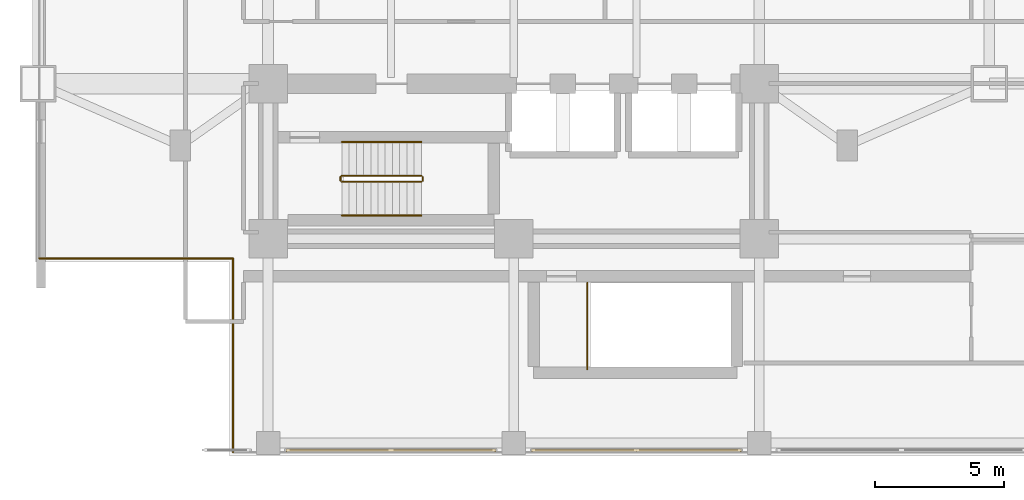
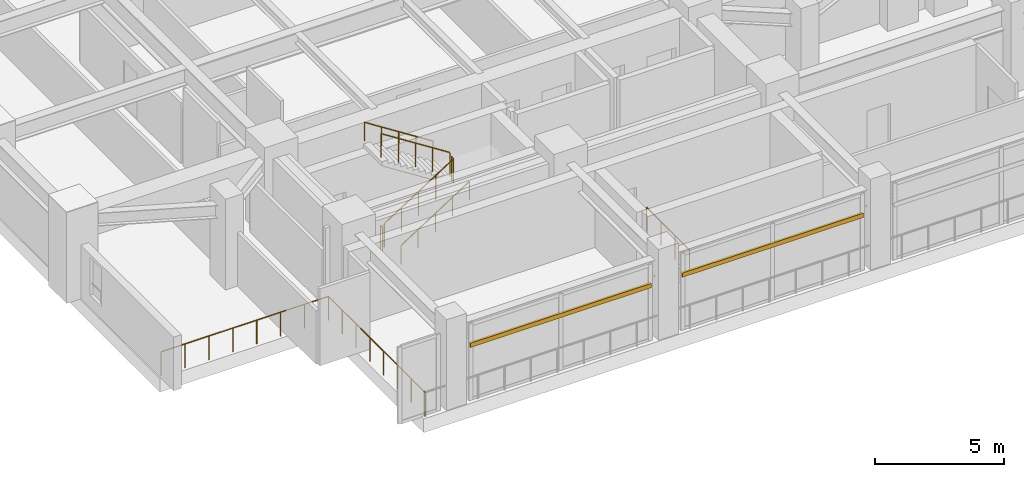
# One storey, part 21 of 27: 9 railings, 2 shading devices.
"""IFC4 building model written with IfcOpenShell, lengths in metres."""

import ifcopenshell
import ifcopenshell.guid

model = None  # the IFC model being written
_history = None  # IfcOwnerHistory: only IFC2X3 demands one
_inside = {}  # id of a spatial element -> (the spatial element, [elements in it])
_under = {}  # id of a project, library or spatial element -> (it, [spatial elements below it])
_declared = {}  # id of a project -> (the project, [libraries it declares])
_typed = {}  # id of a type object -> (the type object, [elements of that type])
_made_of = {}  # id of a material, layer set ... -> (it, [elements and type objects made of it])


def new_model(schema):
    """Start an empty IFC model of exactly this schema.

    Asked for "IFC4X3", IfcOpenShell would pick the latest addendum, in which some entities
    have other attributes; the version numbers below select the first issue.
    IFC2X3 requires an IfcOwnerHistory on every rooted entity: one is made here for all.
    """
    global model, _history
    if schema == "IFC4X3":
        model = ifcopenshell.file(schema_version=(4, 3, 0, 0))
    else:
        model = ifcopenshell.file(schema=schema)
    _inside.clear()
    _under.clear()
    _declared.clear()
    _typed.clear()
    _made_of.clear()
    _history = None
    if model.schema == "IFC2X3":
        org = make("IfcOrganization", Name="unknown")
        user = make(
            "IfcPersonAndOrganization",
            ThePerson=make("IfcPerson", FamilyName="unknown"),
            TheOrganization=org,
        )
        app = make(
            "IfcApplication",
            ApplicationDeveloper=org,
            Version="unknown",
            ApplicationFullName="unknown",
            ApplicationIdentifier="unknown",
        )
        _history = make(
            "IfcOwnerHistory",
            OwningUser=user,
            OwningApplication=app,
            ChangeAction="ADDED",
            CreationDate=0,
        )
    return model


def make(cls, **values):
    """One entity of the class cls with the attributes given. An attribute that is None is left unset."""
    return model.create_entity(
        cls, **{name: value for name, value in values.items() if value is not None}
    )


def rooted(cls, **values):
    """An entity with a GlobalId (a new one), such as an element, a storey or a relation."""
    return make(cls, GlobalId=ifcopenshell.guid.new(), OwnerHistory=_history, **values)


def si_unit(unit_type, name, prefix=None):
    """IfcSIUnit, for example si_unit("LENGTHUNIT", "METRE", prefix="MILLI")."""
    return make("IfcSIUnit", UnitType=unit_type, Prefix=prefix, Name=name)


def assignment(units):
    """IfcUnitAssignment: the units of a project."""
    return None if units is None else make("IfcUnitAssignment", Units=units)


def point(xyz):
    """IfcCartesianPoint."""
    return None if xyz is None else make("IfcCartesianPoint", Coordinates=xyz)


def direction(xyz):
    """IfcDirection."""
    return None if xyz is None else make("IfcDirection", DirectionRatios=xyz)


def frame(location, z_axis=None, x_axis=None):
    """IfcAxis2Placement3D, a coordinate frame: its origin and axes. An axis left out is left unset."""
    return make(
        "IfcAxis2Placement3D",
        Location=point(location),
        Axis=direction(z_axis),
        RefDirection=direction(x_axis),
    )


def frame_2d(location, x_axis=None):
    """IfcAxis2Placement2D, a coordinate frame in the plane: its origin and x axis."""
    return make(
        "IfcAxis2Placement2D", Location=point(location), RefDirection=direction(x_axis)
    )


def origin():
    """The frame at (0, 0, 0) with its axes left unset."""
    return frame((0.0, 0.0, 0.0))


def origin_2d():
    """The frame at (0, 0) in the plane with its x axis left unset."""
    return frame_2d((0.0, 0.0))


def place(relative_to, where):
    """IfcLocalPlacement: puts the frame where relative to a parent placement (None: the world)."""
    return make(
        "IfcLocalPlacement", PlacementRelTo=relative_to, RelativePlacement=where
    )


def context(
    kind, dimensions, precision=None, world=None, true_north=None, identifier=None
):
    """IfcGeometricRepresentationContext, for example the 3D "Model" context."""
    return make(
        "IfcGeometricRepresentationContext",
        ContextIdentifier=identifier,
        ContextType=kind,
        CoordinateSpaceDimension=dimensions,
        Precision=precision,
        WorldCoordinateSystem=world,
        TrueNorth=true_north,
    )


def subcontext(parent, identifier, kind, view, scale=None):
    """IfcGeometricRepresentationSubContext, for example "Body" below "Model"."""
    return make(
        "IfcGeometricRepresentationSubContext",
        ContextIdentifier=identifier,
        ContextType=kind,
        ParentContext=parent,
        TargetScale=scale,
        TargetView=view,
    )


def project(units=None, contexts=None):
    """IfcProject with its units and contexts."""
    return rooted(
        "IfcProject",
        Name="project",
        RepresentationContexts=contexts,
        UnitsInContext=assignment(units),
    )


def spatial(cls, under=None, at=None, **own):
    """A site, building, storey or space (cls), placed at a placement, below another one or the project."""
    s = rooted(cls, ObjectPlacement=at, **own)
    if under is not None:
        _under.setdefault(under.id(), (under, []))[1].append(s)
    return s


def profile(cls, at=None, kind="AREA", **sizes):
    """A parametric profile (cls). Its sizes go by their IFC names, for example OverallWidth=200.0."""
    return make(cls, ProfileType=kind, Position=at, **sizes)


def rectangle(**sizes):
    """IfcRectangleProfileDef."""
    return profile("IfcRectangleProfileDef", **sizes)


def circle(**sizes):
    """IfcCircleProfileDef."""
    return profile("IfcCircleProfileDef", **sizes)


def extrude(swept, where, along, depth):
    """IfcExtrudedAreaSolid: the profile swept, set in the frame where, extruded along a direction by depth."""
    return make(
        "IfcExtrudedAreaSolid",
        SweptArea=swept,
        Position=where,
        ExtrudedDirection=direction(along),
        Depth=depth,
    )


def shape(context_of_items, identifier, shape_type, items):
    """IfcShapeRepresentation: the items that make up one representation, for example the "Body"."""
    return make(
        "IfcShapeRepresentation",
        ContextOfItems=context_of_items,
        RepresentationIdentifier=identifier,
        RepresentationType=shape_type,
        Items=items,
    )


def material(Name=None, Category=None):
    """IfcMaterial."""
    return make("IfcMaterial", Name=Name, Category=Category)


def material_profile(
    of_material, cross_section, Name=None, Category=None, Priority=None
):
    """IfcMaterialProfile: a cross section and its material."""
    return make(
        "IfcMaterialProfile",
        Name=Name,
        Material=of_material,
        Profile=cross_section,
        Priority=Priority,
        Category=Category,
    )


def profile_set(profiles, Name=None, composite=None):
    """IfcMaterialProfileSet."""
    return make(
        "IfcMaterialProfileSet",
        Name=Name,
        MaterialProfiles=profiles,
        CompositeProfile=composite,
    )


def made_of(thing, what):
    """Note that an element or type object is made of a material, layer set ...; save() writes the relation."""
    if what is not None:
        _made_of.setdefault(what.id(), (what, []))[1].append(thing)
    return thing


def type_object(cls, material=None, **own):
    """A type object (cls), such as IfcWallType, which elements share."""
    return made_of(rooted(cls, **own), material)


def element(
    cls,
    number,
    at=None,
    inside=None,
    cuts=None,
    type_object=None,
    material=None,
    context=None,
    identifier="Body",
    shape_type=None,
    held_by="IfcProductDefinitionShape",
    body=None,
    shapes=None,
    **own,
):
    """One element of the class cls, such as IfcWall. Its Tag is "e" and its number.

    at: its placement. inside: the storey or other place that contains it. cuts: it is an
    opening in that element (IfcRelVoidsElement). A single representation is given by context,
    identifier, shape_type and body (its items); several are given by shapes. held_by: the class
    of the entity that holds the representations. save() writes the other relations.
    """
    e = rooted(cls, Tag="e%d" % number, ObjectPlacement=at, **own)
    if body is not None:
        shapes = [shape(context, identifier, shape_type, body)]
    if shapes is not None:
        e.Representation = make(held_by, Representations=shapes)
    if inside is not None:
        _inside.setdefault(inside.id(), (inside, []))[1].append(e)
    if cuts is not None:
        rooted(
            "IfcRelVoidsElement", RelatingBuildingElement=cuts, RelatedOpeningElement=e
        )
    if type_object is not None:
        _typed.setdefault(type_object.id(), (type_object, []))[1].append(e)
    return made_of(e, material)


def aggregate(whole, parts):
    """IfcRelAggregates: a whole, such as a stair, and the parts it consists of."""
    return rooted("IfcRelAggregates", RelatingObject=whole, RelatedObjects=parts)


def save(model, path):
    """Write the relations noted so far, then the file.

    IfcRelAggregates (storeys below a building ...), IfcRelContainedInSpatialStructure (elements
    in a storey), IfcRelDefinesByType, IfcRelAssociatesMaterial and IfcRelDeclares: one each for
    every whole, place, type object, material and project.
    """
    for whole, parts in _under.values():
        aggregate(whole, parts)
    for where, things in _inside.values():
        rooted(
            "IfcRelContainedInSpatialStructure",
            RelatedElements=things,
            RelatingStructure=where,
        )
    for kind, things in _typed.values():
        rooted("IfcRelDefinesByType", RelatedObjects=things, RelatingType=kind)
    for what, things in _made_of.values():
        rooted("IfcRelAssociatesMaterial", RelatedObjects=things, RelatingMaterial=what)
    for by, libraries in _declared.values():
        rooted("IfcRelDeclares", RelatingContext=by, RelatedDefinitions=libraries)
    model.write(path)


model = new_model("IFC4")

# Units and contexts
model_context = context("Model", 3, precision=1e-05, world=origin(), true_north=direction((0.0, 1.0)))
body_context = subcontext(model_context, "Body", "Model", "MODEL_VIEW")
ifc_project = project(units=[si_unit("LENGTHUNIT", "METRE"), si_unit("AREAUNIT", "SQUARE_METRE"), si_unit("VOLUMEUNIT", "CUBIC_METRE"), si_unit("PLANEANGLEUNIT", "RADIAN"), si_unit("MASSUNIT", "GRAM", prefix="KILO")], contexts=[model_context])

# Site, building, storey
site_placement = place(None, origin())
site = spatial("IfcSite", under=ifc_project, at=site_placement, CompositionType="ELEMENT")
building_placement = place(site_placement, origin())
building = spatial("IfcBuilding", under=site, at=building_placement, Name="Mirazonda Arch Towers", CompositionType="ELEMENT")
storey_placement = place(building_placement, frame((0.0, 0.0, 18.10009765625)))
storey = spatial("IfcBuildingStorey", under=building, at=storey_placement, Name="L04", CompositionType="ELEMENT", Elevation=18.10009765625)

# Shading devices
ifc_material_1 = material(Name="Kiln-Fired Architectural Terracotta", Category="masonry")
ifc_material_profile = material_profile(ifc_material_1, rectangle(XDim=0.10009765625, YDim=0.199951171875, at=origin_2d()), Name="TERRA-BAG-100x200")
ifc_profile_set = profile_set([ifc_material_profile], Name="Kiln-Fired Architectural Terracotta")
shading_device_type = type_object("IfcShadingDeviceType", Name="BAGUETTE-2", PredefinedType="USERDEFINED", material=ifc_profile_set)
for number, where, z_axis, x_axis, name in (
    (1, (29.31005859375, 4.219970703125, 2.613525390625), (-1.0, 0.0, 0.0), (0.0, -1.0, 0.0), "L04 Glazed Terracotta Sun-Screen Baguette CW-L04-S1-S6"),
    (2, (19.81005859375, 4.219970703125, 2.613525390625), (-1.0, 0.0, 0.0), (0.0, -1.0, 0.0), "L04 Glazed Terracotta Sun-Screen Baguette CW-L04-S1-S7"),
):
    element("IfcShadingDevice", number, at=place(storey_placement, frame(where, z_axis=z_axis, x_axis=x_axis)), inside=storey, type_object=shading_device_type, Name=name, ObjectType="BAGUETTE", PredefinedType="USERDEFINED", context=body_context, shape_type="SweptSolid", body=[
        extrude(rectangle(XDim=0.10009765625, YDim=0.199951171875, at=origin_2d()), origin(), (0.0, 0.0, 1.0), 8.1201171875),
    ])

# Railings
ifc_material_2 = material(Name="Architectural Brushed Steel S355", Category="steel")
railing_type_1 = type_object("IfcRailingType", Name="GUARD-EXT-1150", PredefinedType="GUARDRAIL", material=ifc_material_2)
railing_1_placement = place(storey_placement, frame((2.139892578125, 11.639892578125, 0.0)))
element("IfcRailing", 3, at=railing_1_placement, inside=storey, type_object=railing_type_1, Name="L04 L04 Bridged Podium Perimeter Guard 11", PredefinedType="GUARDRAIL", context=body_context, shape_type="SweptSolid", body=[
    extrude(circle(Radius=0.02392578125, at=origin_2d()), frame((0.0, 0.0, 1.1259765625), z_axis=(1.0, 0.0, 0.0), x_axis=(0.0, 1.0, 0.0)), (0.0, 0.0, 1.0), 7.5),
    extrude(circle(Radius=0.02099609375, at=origin_2d()), origin(), (0.0, 0.0, 1.0), 1.101806640625),
    extrude(circle(Radius=0.02099609375, at=origin_2d()), frame((1.071533203125, 0.0, 0.0)), (0.0, 0.0, 1.0), 1.101806640625),
    extrude(circle(Radius=0.02099609375, at=origin_2d()), frame((2.142822265625, 0.0, 0.0)), (0.0, 0.0, 1.0), 1.101806640625),
    extrude(circle(Radius=0.02099609375, at=origin_2d()), frame((3.21435546875, 0.0, 0.0)), (0.0, 0.0, 1.0), 1.101806640625),
    extrude(circle(Radius=0.02099609375, at=origin_2d()), frame((4.28564453125, 0.0, 0.0)), (0.0, 0.0, 1.0), 1.101806640625),
    extrude(circle(Radius=0.02099609375, at=origin_2d()), frame((5.357177734375, 0.0, 0.0)), (0.0, 0.0, 1.0), 1.101806640625),
    extrude(circle(Radius=0.02099609375, at=origin_2d()), frame((6.428466796875, 0.0, 0.0)), (0.0, 0.0, 1.0), 1.101806640625),
    extrude(circle(Radius=0.02099609375, at=origin_2d()), frame((7.5, 0.0, 0.0)), (0.0, 0.0, 1.0), 1.101806640625),
])
railing_2_placement = place(storey_placement, frame((9.639892578125, 11.639892578125, 0.0)))
element("IfcRailing", 4, at=railing_2_placement, inside=storey, type_object=railing_type_1, Name="L04 L04 Bridged Podium Perimeter Guard 12", PredefinedType="GUARDRAIL", context=body_context, shape_type="SweptSolid", body=[
    extrude(circle(Radius=0.02392578125, at=origin_2d()), frame((0.0, 0.0, 1.1259765625), z_axis=(0.0, -1.0, 0.0), x_axis=(1.0, 0.0, 0.0)), (0.0, 0.0, 1.0), 7.5),
    extrude(circle(Radius=0.02099609375, at=origin_2d()), origin(), (0.0, 0.0, 1.0), 1.101806640625),
    extrude(circle(Radius=0.02099609375, at=origin_2d()), frame((0.0, -1.071533203125, 0.0)), (0.0, 0.0, 1.0), 1.101806640625),
    extrude(circle(Radius=0.02099609375, at=origin_2d()), frame((0.0, -2.142822265625, 0.0)), (0.0, 0.0, 1.0), 1.101806640625),
    extrude(circle(Radius=0.02099609375, at=origin_2d()), frame((0.0, -3.21435546875, 0.0)), (0.0, 0.0, 1.0), 1.101806640625),
    extrude(circle(Radius=0.02099609375, at=origin_2d()), frame((0.0, -4.28564453125, 0.0)), (0.0, 0.0, 1.0), 1.101806640625),
    extrude(circle(Radius=0.02099609375, at=origin_2d()), frame((0.0, -5.357177734375, 0.0)), (0.0, 0.0, 1.0), 1.101806640625),
    extrude(circle(Radius=0.02099609375, at=origin_2d()), frame((0.0, -6.428466796875, 0.0)), (0.0, 0.0, 1.0), 1.101806640625),
    extrude(circle(Radius=0.02099609375, at=origin_2d()), frame((0.0, -7.5, 0.0)), (0.0, 0.0, 1.0), 1.101806640625),
])
railing_type_2 = type_object("IfcRailingType", Name="GUARD-STAIR-1120", PredefinedType="GUARDRAIL", material=ifc_material_2)
railing_3_placement = place(storey_placement, frame((13.85009765625, 14.60009765625, 0.178955078125)))
element("IfcRailing", 5, at=railing_3_placement, inside=storey, type_object=railing_type_2, Name="L04 ST-T1S stair guard 1", PredefinedType="GUARDRAIL", context=body_context, shape_type="SweptSolid", body=[
    extrude(circle(Radius=0.02392578125, at=origin_2d()), frame((0.0, 0.0, 1.1259765625), z_axis=(0.842289589211, 0.0, 0.539025275759), x_axis=(0.0, 1.0, 0.0)), (0.0, 0.0, 1.0), 3.656494140625),
    extrude(circle(Radius=0.02099609375, at=origin_2d()), origin(), (0.0, 0.0, 1.0), 1.101806640625),
    extrude(circle(Radius=0.02099609375, at=origin_2d()), frame((0.77001953125, 0.0, 0.49267578125)), (0.0, 0.0, 1.0), 1.101806640625),
    extrude(circle(Radius=0.02099609375, at=origin_2d()), frame((1.5400390625, 0.0, 0.9853515625)), (0.0, 0.0, 1.0), 1.101806640625),
    extrude(circle(Radius=0.02099609375, at=origin_2d()), frame((2.309814453125, 0.0, 1.478271484375)), (0.0, 0.0, 1.0), 1.101806640625),
    extrude(circle(Radius=0.02099609375, at=origin_2d()), frame((3.079833984375, 0.0, 1.970947265625)), (0.0, 0.0, 1.0), 1.101806640625),
])
railing_4_placement = place(storey_placement, frame((16.97998046875, 14.64990234375, 2.14990234375)))
element("IfcRailing", 6, at=railing_4_placement, inside=storey, type_object=railing_type_2, Name="L04 ST-T1S stair guard 2", PredefinedType="GUARDRAIL", context=body_context, shape_type="SweptSolid", body=[
    extrude(circle(Radius=0.02392578125, at=origin_2d()), frame((0.0, 0.0, 1.1259765625), z_axis=(0.0, 1.0, 0.0), x_axis=(-1.0, 0.0, 0.0)), (0.0, 0.0, 1.0), 0.14013671875),
    extrude(circle(Radius=0.02099609375, at=origin_2d()), origin(), (0.0, 0.0, 1.0), 1.101806640625),
    extrude(circle(Radius=0.02099609375, at=origin_2d()), frame((0.0, 0.14013671875, 0.0)), (0.0, 0.0, 1.0), 1.101806640625),
])
railing_5_placement = place(storey_placement, frame((16.929931640625, 14.840087890625, 2.3291015625)))
element("IfcRailing", 7, at=railing_5_placement, inside=storey, type_object=railing_type_2, Name="L04 ST-T1S stair guard 3", PredefinedType="GUARDRAIL", context=body_context, shape_type="SweptSolid", body=[
    extrude(circle(Radius=0.02392578125, at=origin_2d()), frame((0.0, 0.0, 1.1259765625), z_axis=(-0.842319903074, 0.0, 0.538977903893), x_axis=(0.0, -1.0, 0.0)), (0.0, 0.0, 1.0), 3.65625),
    extrude(circle(Radius=0.02099609375, at=origin_2d()), origin(), (0.0, 0.0, 1.0), 1.101806640625),
    extrude(circle(Radius=0.02099609375, at=origin_2d()), frame((-0.77001953125, 0.0, 0.49267578125)), (0.0, 0.0, 1.0), 1.101806640625),
    extrude(circle(Radius=0.02099609375, at=origin_2d()), frame((-1.5400390625, 0.0, 0.9853515625)), (0.0, 0.0, 1.0), 1.101806640625),
    extrude(circle(Radius=0.02099609375, at=origin_2d()), frame((-2.309814453125, 0.0, 1.47802734375)), (0.0, 0.0, 1.0), 1.101806640625),
    extrude(circle(Radius=0.02099609375, at=origin_2d()), frame((-3.079833984375, 0.0, 1.970703125)), (0.0, 0.0, 1.0), 1.101806640625),
])
railing_6_placement = place(storey_placement, frame((13.800048828125, 14.64990234375, 0.0)))
element("IfcRailing", 8, at=railing_6_placement, inside=storey, type_object=railing_type_2, Name="L04 ST-T1S stair guard 4", PredefinedType="GUARDRAIL", context=body_context, shape_type="SweptSolid", body=[
    extrude(circle(Radius=0.02392578125, at=origin_2d()), frame((0.0, 0.0, 1.1259765625), z_axis=(0.0, 1.0, 0.0), x_axis=(-1.0, 0.0, 0.0)), (0.0, 0.0, 1.0), 0.14013671875),
    extrude(circle(Radius=0.02099609375, at=origin_2d()), origin(), (0.0, 0.0, 1.0), 1.101806640625),
    extrude(circle(Radius=0.02099609375, at=origin_2d()), frame((0.0, 0.14013671875, 0.0)), (0.0, 0.0, 1.0), 1.101806640625),
])
railing_7_placement = place(storey_placement, frame((23.35009765625, 7.35009765625, 0.0)))
element("IfcRailing", 9, at=railing_7_placement, inside=storey, type_object=railing_type_2, Name="L04 ST-POD1 top well guard 1", PredefinedType="GUARDRAIL", context=body_context, shape_type="SweptSolid", body=[
    extrude(circle(Radius=0.02392578125, at=origin_2d()), frame((0.0, 0.0, 1.1259765625), z_axis=(0.0, 1.0, 0.0), x_axis=(-1.0, 0.0, 0.0)), (0.0, 0.0, 1.0), 3.33984375),
    extrude(circle(Radius=0.02099609375, at=origin_2d()), origin(), (0.0, 0.0, 1.0), 1.101806640625),
    extrude(circle(Radius=0.02099609375, at=origin_2d()), frame((0.0, 1.11328125, 0.0)), (0.0, 0.0, 1.0), 1.101806640625),
    extrude(circle(Radius=0.02099609375, at=origin_2d()), frame((0.0, 2.2265625, 0.0)), (0.0, 0.0, 1.0), 1.101806640625),
    extrude(circle(Radius=0.02099609375, at=origin_2d()), frame((0.0, 3.33984375, 0.0)), (0.0, 0.0, 1.0), 1.101806640625),
])
railing_type_3 = type_object("IfcRailingType", Name="HANDRAIL-915", PredefinedType="HANDRAIL", material=ifc_material_2)
railing_8_placement = place(storey_placement, frame((13.85009765625, 13.300048828125, 0.178955078125)))
element("IfcRailing", 10, at=railing_8_placement, inside=storey, type_object=railing_type_3, Name="L04 ST-T1S stair handrail 1", PredefinedType="HANDRAIL", context=body_context, shape_type="SweptSolid", body=[
    extrude(circle(Radius=0.02392578125, at=origin_2d()), frame((0.0, 0.0, 0.8759765625), z_axis=(0.842289589211, 0.0, 0.539025275759), x_axis=(0.0, 1.0, 0.0)), (0.0, 0.0, 1.0), 3.656494140625),
    extrude(circle(Radius=0.02099609375, at=origin_2d()), origin(), (0.0, 0.0, 1.0), 0.851806640625),
    extrude(circle(Radius=0.02099609375, at=origin_2d()), frame((0.77001953125, 0.0, 0.49267578125)), (0.0, 0.0, 1.0), 0.851806640625),
    extrude(circle(Radius=0.02099609375, at=origin_2d()), frame((1.5400390625, 0.0, 0.9853515625)), (0.0, 0.0, 1.0), 0.851806640625),
    extrude(circle(Radius=0.02099609375, at=origin_2d()), frame((2.309814453125, 0.0, 1.478271484375)), (0.0, 0.0, 1.0), 0.851806640625),
    extrude(circle(Radius=0.02099609375, at=origin_2d()), frame((3.079833984375, 0.0, 1.970947265625)), (0.0, 0.0, 1.0), 0.851806640625),
])
railing_9_placement = place(storey_placement, frame((16.929931640625, 16.139892578125, 2.3291015625)))
element("IfcRailing", 11, at=railing_9_placement, inside=storey, type_object=railing_type_3, Name="L04 ST-T1S stair handrail 2", PredefinedType="HANDRAIL", context=body_context, shape_type="SweptSolid", body=[
    extrude(circle(Radius=0.02392578125, at=origin_2d()), frame((0.0, 0.0, 0.8759765625), z_axis=(-0.842319903074, 0.0, 0.538977903893), x_axis=(0.0, -1.0, 0.0)), (0.0, 0.0, 1.0), 3.65625),
    extrude(circle(Radius=0.02099609375, at=origin_2d()), origin(), (0.0, 0.0, 1.0), 0.851806640625),
    extrude(circle(Radius=0.02099609375, at=origin_2d()), frame((-0.77001953125, 0.0, 0.49267578125)), (0.0, 0.0, 1.0), 0.851806640625),
    extrude(circle(Radius=0.02099609375, at=origin_2d()), frame((-1.5400390625, 0.0, 0.9853515625)), (0.0, 0.0, 1.0), 0.851806640625),
    extrude(circle(Radius=0.02099609375, at=origin_2d()), frame((-2.309814453125, 0.0, 1.47802734375)), (0.0, 0.0, 1.0), 0.851806640625),
    extrude(circle(Radius=0.02099609375, at=origin_2d()), frame((-3.079833984375, 0.0, 1.970703125)), (0.0, 0.0, 1.0), 0.851806640625),
])

save(model, "model.ifc")
